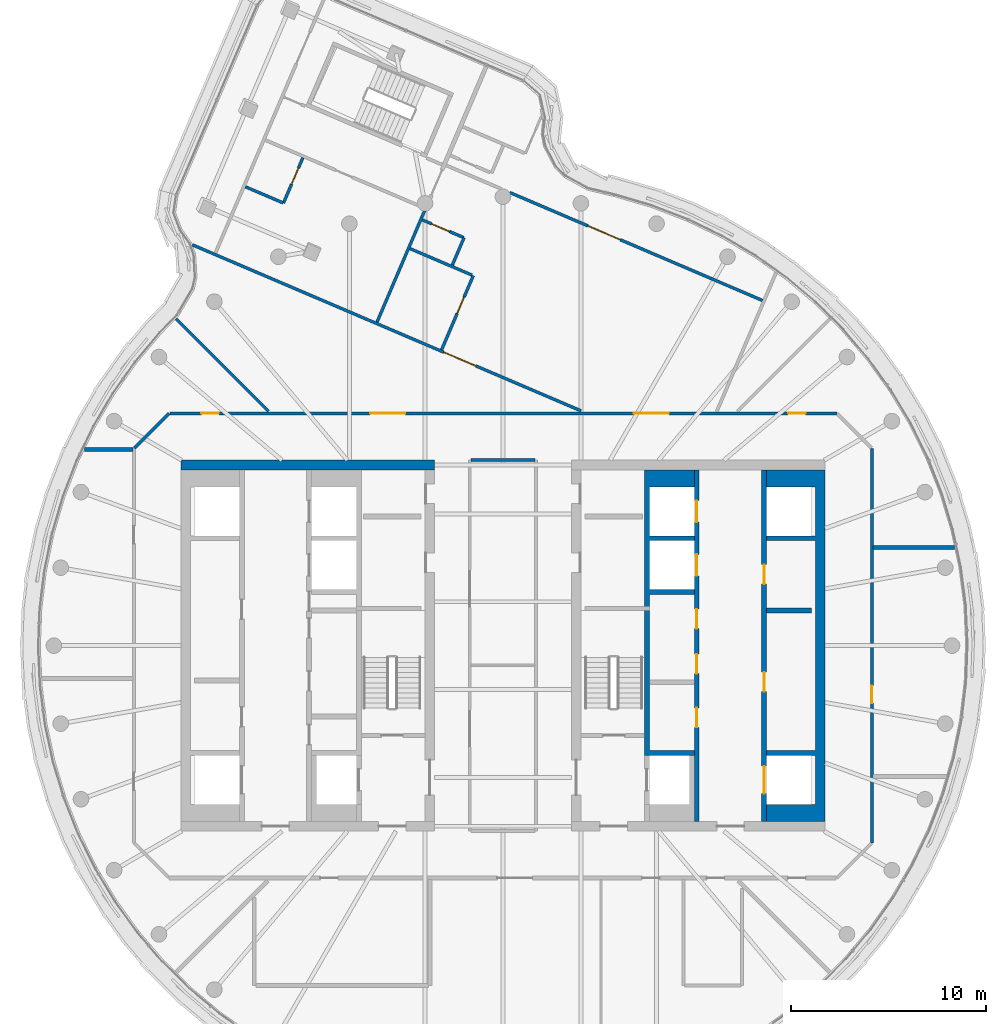
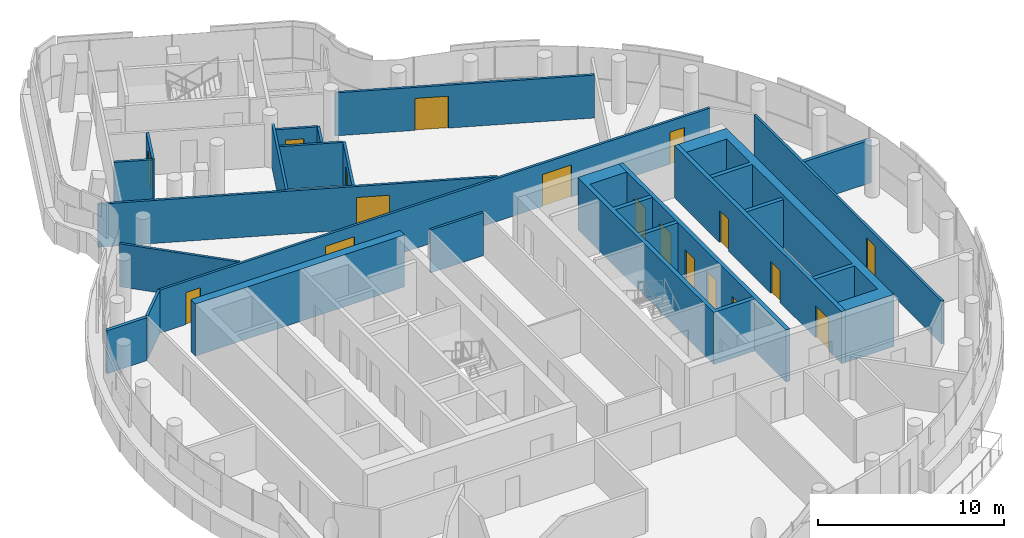
# One storey, part 14 of 20: 22 walls, 18 doors, 18 openings.
"""IFC4 building model written with IfcOpenShell, lengths in metres."""

from ifc_helpers import new_model, si_unit, direction, frame, frame_2d, origin, place, context, subcontext, project, spatial, polyline, rectangle, outline, extrude, material, layer, layer_set, type_object, element, fill, save


model = new_model("IFC4")

# Units and contexts
model_context = context("Model", 3, precision=1e-05, world=origin(), true_north=direction((0.0, 1.0)))
body_context = subcontext(model_context, "Body", "Model", "MODEL_VIEW")
ifc_project = project(units=[si_unit("LENGTHUNIT", "METRE"), si_unit("AREAUNIT", "SQUARE_METRE"), si_unit("VOLUMEUNIT", "CUBIC_METRE"), si_unit("PLANEANGLEUNIT", "RADIAN"), si_unit("MASSUNIT", "GRAM", prefix="KILO")], contexts=[model_context])

# Site, building, storey
site_placement = place(None, origin())
site = spatial("IfcSite", under=ifc_project, at=site_placement, CompositionType="ELEMENT")
building_placement = place(site_placement, origin())
building = spatial("IfcBuilding", under=site, at=building_placement, Name="Tamarind Cross Interchange Tower", CompositionType="ELEMENT")
storey_placement = place(building_placement, frame((0.0, 0.0, 274.800048828125)))
storey = spatial("IfcBuildingStorey", under=building, at=storey_placement, Name="L70", CompositionType="ELEMENT", Elevation=274.800048828125)

# Walls
ifc_material_1 = material(Name="Concrete C50", Category="concrete")
ifc_layer_1 = layer(ifc_material_1, 0.5)
ifc_layer_set_1 = layer_set([ifc_layer_1], Name="Concrete C50")
wall_type_1 = type_object("IfcWallType", Name="Core wall 500 mm Concrete C50", PredefinedType="SHEAR", material=ifc_layer_set_1)
wall_1_placement = place(storey_placement, frame((-16.5, 9.25, 0.0), z_axis=(0.0, 0.0, 1.0), x_axis=(1.0, 0.0, 0.0)))
element("IfcWall", 1, at=wall_1_placement, inside=storey, type_object=wall_type_1, Name="Core wall CWL-L70-W-NE", PredefinedType="SHEAR", context=body_context, shape_type="SweptSolid", body=[
    extrude(rectangle(XDim=13.0, YDim=0.5, at=frame_2d((6.5, 0.0))), origin(), (0.0, 0.0, 1.0), 3.419921875),
])
wall_2_placement = place(storey_placement, origin())
element("IfcWall", 2, at=wall_2_placement, inside=storey, type_object=wall_type_1, Name="Core wall CWL-L70-E-A", PredefinedType="SHEAR", context=body_context, shape_type="SweptSolid", body=[
    extrude(outline(polyline([(13.5, -8.125), (13.5, -9.0), (16.0, -9.0), (16.5, -9.0), (16.5, 9.0), (16.0, 9.0), (13.5, 9.0), (13.5, 8.125), (16.0, 8.125), (16.0, 5.625), (13.5, 5.625), (13.5, 5.375), (16.0, 5.375), (16.0, -5.375), (13.5, -5.375), (13.5, -5.625), (16.0, -5.625), (16.0, -8.125), (13.5, -8.125)])), origin(), (0.0, 0.0, 1.0), 3.419921875),
])
ifc_layer_2 = layer(ifc_material_1, 0.25)
ifc_layer_set_2 = layer_set([ifc_layer_2], Name="Concrete C50")
wall_type_2 = type_object("IfcWallType", Name="Core web wall 250 mm Concrete C50", PredefinedType="SHEAR", material=ifc_layer_set_2)
wall_3_placement = place(storey_placement, origin())
element("IfcWall", 3, at=wall_3_placement, inside=storey, type_object=wall_type_2, Name="Core wall CWL-L70-E-BN", PredefinedType="SHEAR", context=body_context, shape_type="SweptSolid", body=[
    extrude(outline(polyline([(9.800048828125, -5.375), (7.5, -5.375), (7.5, 2.625), (9.800048828125, 2.625), (9.800048828125, 2.875), (7.5, 2.875), (7.5, 5.375), (9.800048828125, 5.375), (9.800048828125, 5.625), (7.5, 5.625), (7.5, 8.125), (9.800048828125, 8.125), (9.800048828125, 9.0), (7.5, 9.0), (7.25, 9.0), (7.25, -5.625), (7.5, -5.625), (9.800048828125, -5.625), (9.800048828125, -5.375)])), origin(), (0.0, 0.0, 1.0), 3.419921875),
])

# Wall, openings, doors
wall_4_placement = place(storey_placement, frame((13.375, -9.0, 0.0), z_axis=(0.0, 0.0, 1.0), x_axis=(0.0, 1.0, 0.0)))
wall_4 = element("IfcWall", 4, at=wall_4_placement, inside=storey, type_object=wall_type_2, Name="Core wall CWL-L70-E-LA", PredefinedType="SHEAR", context=body_context, shape_type="SweptSolid", body=[
    extrude(rectangle(XDim=18.0, YDim=0.25, at=frame_2d((9.0, 0.0))), origin(), (0.0, 0.0, 1.0), 3.419921875),
])
opening_1_placement = place(wall_4_placement, frame((1.425048828125, 0.0, 0.0)))
opening_1 = element("IfcOpeningElement", 5, at=opening_1_placement, cuts=wall_4, Name="Opening LD13L70", PredefinedType="OPENING", context=body_context, shape_type="SweptSolid", body=[
    extrude(rectangle(XDim=1.39990234375, YDim=2.10009765625, at=frame_2d((0.699951171875, 1.050048828125))), frame((0.0, 0.135009765625, 0.0), z_axis=(0.0, -1.0, 0.0), x_axis=(1.0, 0.0, 0.0)), (0.0, 0.0, 1.0), 0.27001953125),
])
opening_2_placement = place(wall_4_placement, frame((6.64599609375, 0.0, 0.0)))
opening_2 = element("IfcOpeningElement", 6, at=opening_2_placement, cuts=wall_4, Name="Opening DCE9", PredefinedType="OPENING", context=body_context, shape_type="SweptSolid", body=[
    extrude(rectangle(XDim=1.0, YDim=2.10009765625, at=frame_2d((0.5, 1.050048828125))), frame((0.0, 0.135009765625, 0.0), z_axis=(0.0, -1.0, 0.0), x_axis=(1.0, 0.0, 0.0)), (0.0, 0.0, 1.0), 0.27001953125),
])
opening_3_placement = place(wall_4_placement, frame((12.14599609375, 0.0, 0.0)))
opening_3 = element("IfcOpeningElement", 7, at=opening_3_placement, cuts=wall_4, Name="Opening DCE10", PredefinedType="OPENING", context=body_context, shape_type="SweptSolid", body=[
    extrude(rectangle(XDim=1.0, YDim=2.10009765625, at=frame_2d((0.5, 1.050048828125))), frame((0.0, 0.135009765625, 0.0), z_axis=(0.0, -1.0, 0.0), x_axis=(1.0, 0.0, 0.0)), (0.0, 0.0, 1.0), 0.27001953125),
])
ifc_material_2 = material(Name="Steel, fire-resisting", Category="steel")
door_type_1 = type_object("IfcDoorType", Name="Core fire door 1000 x 2100 FD90", OperationType="SINGLE_SWING_LEFT", PredefinedType="DOOR", material=ifc_material_2)
door_1_placement = place(opening_2_placement, origin())
door_1 = element("IfcDoor", 8, at=door_1_placement, inside=storey, type_object=door_type_1, Name="L70 Ice and vending room door", OperationType="SINGLE_SWING_LEFT", OverallHeight=2.10009765625, OverallWidth=1.0, PredefinedType="DOOR", context=body_context, shape_type="SweptSolid", body=[
    extrude(rectangle(XDim=1.0, YDim=2.10009765625, at=frame_2d((0.5, 1.050048828125))), frame((0.0, 0.02490234375, 0.0), z_axis=(0.0, -1.0, 0.0), x_axis=(1.0, 0.0, 0.0)), (0.0, 0.0, 1.0), 0.050048828125),
])
fill(opening_2, door_1)
door_2_placement = place(opening_3_placement, origin())
door_2 = element("IfcDoor", 9, at=door_2_placement, inside=storey, type_object=door_type_1, Name="L70 Guest laundry door", OperationType="SINGLE_SWING_LEFT", OverallHeight=2.10009765625, OverallWidth=1.0, PredefinedType="DOOR", context=body_context, shape_type="SweptSolid", body=[
    extrude(rectangle(XDim=1.0, YDim=2.10009765625, at=frame_2d((0.5, 1.050048828125))), frame((0.0, 0.02490234375, 0.0), z_axis=(0.0, -1.0, 0.0), x_axis=(1.0, 0.0, 0.0)), (0.0, 0.0, 1.0), 0.050048828125),
])
fill(opening_3, door_2)
ifc_material_3 = material(Name="Stainless steel panel", Category="steel")
door_type_2 = type_object("IfcDoorType", Name="Lift landing door 1400 x 2100 E 120", OperationType="SLIDING_TO_LEFT", PredefinedType="DOOR", material=ifc_material_3)
door_3_placement = place(opening_1_placement, origin())
door_3 = element("IfcDoor", 10, at=door_3_placement, inside=storey, type_object=door_type_2, Name="L70 landing door LF13", OperationType="SLIDING_TO_LEFT", OverallHeight=2.10009765625, OverallWidth=1.39990234375, PredefinedType="DOOR", context=body_context, shape_type="SweptSolid", body=[
    extrude(rectangle(XDim=1.39990234375, YDim=2.10009765625, at=frame_2d((0.699951171875, 1.050048828125))), frame((0.0, 0.02490234375, 0.0), z_axis=(0.0, -1.0, 0.0), x_axis=(1.0, 0.0, 0.0)), (0.0, 0.0, 1.0), 0.050048828125),
])
fill(opening_1, door_3)

wall_5_placement = place(storey_placement, frame((9.925048828125, -9.0, 0.0), z_axis=(0.0, 0.0, 1.0), x_axis=(0.0, 1.0, 0.0)))
wall_5 = element("IfcWall", 11, at=wall_5_placement, inside=storey, type_object=wall_type_2, Name="Core wall CWL-L70-E-LB", PredefinedType="SHEAR", context=body_context, shape_type="SweptSolid", body=[
    extrude(rectangle(XDim=18.0, YDim=0.25, at=frame_2d((9.0, 0.0))), origin(), (0.0, 0.0, 1.0), 3.419921875),
])
opening_4_placement = place(wall_5_placement, frame((12.574951171875, 0.0, 0.0)))
opening_4 = element("IfcOpeningElement", 12, at=opening_4_placement, cuts=wall_5, Name="Opening LD23L70", PredefinedType="OPENING", context=body_context, shape_type="SweptSolid", body=[
    extrude(rectangle(XDim=1.10009765625, YDim=2.10009765625, at=frame_2d((0.550048828125, 1.050048828125))), frame((0.0, 0.135009765625, 0.0), z_axis=(0.0, -1.0, 0.0), x_axis=(1.0, 0.0, 0.0)), (0.0, 0.0, 1.0), 0.27001953125),
])
opening_5_placement = place(wall_5_placement, frame((15.324951171875, 0.0, 0.0)))
opening_5 = element("IfcOpeningElement", 13, at=opening_5_placement, cuts=wall_5, Name="Opening LD24L70", PredefinedType="OPENING", context=body_context, shape_type="SweptSolid", body=[
    extrude(rectangle(XDim=1.10009765625, YDim=2.10009765625, at=frame_2d((0.550048828125, 1.050048828125))), frame((0.0, 0.135009765625, 0.0), z_axis=(0.0, -1.0, 0.0), x_axis=(1.0, 0.0, 0.0)), (0.0, 0.0, 1.0), 0.27001953125),
])
opening_6_placement = place(wall_5_placement, frame((4.8125, 0.0, 0.0)))
opening_6 = element("IfcOpeningElement", 14, at=opening_6_placement, cuts=wall_5, Name="Opening DCE21", PredefinedType="OPENING", context=body_context, shape_type="SweptSolid", body=[
    extrude(rectangle(XDim=1.0, YDim=2.10009765625, at=frame_2d((0.5, 1.050048828125))), frame((0.0, 0.135009765625, 0.0), z_axis=(0.0, -1.0, 0.0), x_axis=(1.0, 0.0, 0.0)), (0.0, 0.0, 1.0), 0.27001953125),
])
opening_7_placement = place(wall_5_placement, frame((7.5625, 0.0, 0.0)))
opening_7 = element("IfcOpeningElement", 15, at=opening_7_placement, cuts=wall_5, Name="Opening DCE22", PredefinedType="OPENING", context=body_context, shape_type="SweptSolid", body=[
    extrude(rectangle(XDim=1.0, YDim=2.10009765625, at=frame_2d((0.5, 1.050048828125))), frame((0.0, 0.135009765625, 0.0), z_axis=(0.0, -1.0, 0.0), x_axis=(1.0, 0.0, 0.0)), (0.0, 0.0, 1.0), 0.27001953125),
])
opening_8_placement = place(wall_5_placement, frame((9.875, 0.0, 0.0)))
opening_8 = element("IfcOpeningElement", 16, at=opening_8_placement, cuts=wall_5, Name="Opening DCE21", PredefinedType="OPENING", context=body_context, shape_type="SweptSolid", body=[
    extrude(rectangle(XDim=1.0, YDim=2.10009765625, at=frame_2d((0.5, 1.050048828125))), frame((0.0, 0.135009765625, 0.0), z_axis=(0.0, -1.0, 0.0), x_axis=(1.0, 0.0, 0.0)), (0.0, 0.0, 1.0), 0.27001953125),
])
door_4_placement = place(opening_6_placement, origin())
door_4 = element("IfcDoor", 17, at=door_4_placement, inside=storey, type_object=door_type_1, Name="L70 Staff changing room door", OperationType="SINGLE_SWING_LEFT", OverallHeight=2.10009765625, OverallWidth=1.0, PredefinedType="DOOR", context=body_context, shape_type="SweptSolid", body=[
    extrude(rectangle(XDim=1.0, YDim=2.10009765625, at=frame_2d((0.5, 1.050048828125))), frame((0.0, 0.02490234375, 0.0), z_axis=(0.0, -1.0, 0.0), x_axis=(1.0, 0.0, 0.0)), (0.0, 0.0, 1.0), 0.050048828125),
])
fill(opening_6, door_4)
door_5_placement = place(opening_7_placement, origin())
door_5 = element("IfcDoor", 18, at=door_5_placement, inside=storey, type_object=door_type_1, Name="L70 Ice and vending room door", OperationType="SINGLE_SWING_LEFT", OverallHeight=2.10009765625, OverallWidth=1.0, PredefinedType="DOOR", context=body_context, shape_type="SweptSolid", body=[
    extrude(rectangle(XDim=1.0, YDim=2.10009765625, at=frame_2d((0.5, 1.050048828125))), frame((0.0, 0.02490234375, 0.0), z_axis=(0.0, -1.0, 0.0), x_axis=(1.0, 0.0, 0.0)), (0.0, 0.0, 1.0), 0.050048828125),
])
fill(opening_7, door_5)
door_6_placement = place(opening_8_placement, origin())
door_6 = element("IfcDoor", 19, at=door_6_placement, inside=storey, type_object=door_type_1, Name="L70 Staff changing room door", OperationType="SINGLE_SWING_LEFT", OverallHeight=2.10009765625, OverallWidth=1.0, PredefinedType="DOOR", context=body_context, shape_type="SweptSolid", body=[
    extrude(rectangle(XDim=1.0, YDim=2.10009765625, at=frame_2d((0.5, 1.050048828125))), frame((0.0, 0.02490234375, 0.0), z_axis=(0.0, -1.0, 0.0), x_axis=(1.0, 0.0, 0.0)), (0.0, 0.0, 1.0), 0.050048828125),
])
fill(opening_8, door_6)
door_type_3 = type_object("IfcDoorType", Name="Lift landing door 1100 x 2100 E 120", OperationType="SLIDING_TO_LEFT", PredefinedType="DOOR", material=ifc_material_3)
door_7_placement = place(opening_4_placement, origin())
door_7 = element("IfcDoor", 20, at=door_7_placement, inside=storey, type_object=door_type_3, Name="L70 landing door LF23", OperationType="SLIDING_TO_LEFT", OverallHeight=2.10009765625, OverallWidth=1.10009765625, PredefinedType="DOOR", context=body_context, shape_type="SweptSolid", body=[
    extrude(rectangle(XDim=1.10009765625, YDim=2.10009765625, at=frame_2d((0.550048828125, 1.050048828125))), frame((0.0, 0.02490234375, 0.0), z_axis=(0.0, -1.0, 0.0), x_axis=(1.0, 0.0, 0.0)), (0.0, 0.0, 1.0), 0.050048828125),
])
fill(opening_4, door_7)
door_8_placement = place(opening_5_placement, origin())
door_8 = element("IfcDoor", 21, at=door_8_placement, inside=storey, type_object=door_type_3, Name="L70 landing door LF24", OperationType="SLIDING_TO_LEFT", OverallHeight=2.10009765625, OverallWidth=1.10009765625, PredefinedType="DOOR", context=body_context, shape_type="SweptSolid", body=[
    extrude(rectangle(XDim=1.10009765625, YDim=2.10009765625, at=frame_2d((0.550048828125, 1.050048828125))), frame((0.0, 0.02490234375, 0.0), z_axis=(0.0, -1.0, 0.0), x_axis=(1.0, 0.0, 0.0)), (0.0, 0.0, 1.0), 0.050048828125),
])
fill(opening_5, door_8)

# Wall
ifc_material_4 = material(Name="Gypsum board partition on steel studs", Category="steel")
ifc_layer_3 = layer(ifc_material_4, 0.14990234375)
ifc_layer_set_3 = layer_set([ifc_layer_3], Name="Gypsum board partition on steel studs")
wall_type_3 = type_object("IfcWallType", Name="Partition 150 mm EI 120", PredefinedType="PARTITIONING", material=ifc_layer_set_3)
wall_6_placement = place(storey_placement, frame((-16.74267578125, 16.74267578125, 0.0), z_axis=(0.0, 0.0, 1.0), x_axis=(0.707106781187, -0.707106781187, 0.0)))
element("IfcWall", 22, at=wall_6_placement, inside=storey, type_object=wall_type_3, Name="Partition L70-002", PredefinedType="PARTITIONING", context=body_context, shape_type="SweptSolid", body=[
    extrude(rectangle(XDim=6.693603515625, YDim=0.14990234375, at=frame_2d((3.3466796875, 0.0))), origin(), (0.0, 0.0, 1.0), 2.823974609375),
])

# Wall, opening, door
wall_7_placement = place(storey_placement, frame((-15.9111328125, 20.53271484375, 0.0), z_axis=(0.0, 0.0, 1.0), x_axis=(0.919595802133, -0.392865830405, 0.0)))
wall_7 = element("IfcWall", 23, at=wall_7_placement, inside=storey, type_object=wall_type_3, Name="Partition L70-005", PredefinedType="PARTITIONING", context=body_context, shape_type="SweptSolid", body=[
    extrude(rectangle(XDim=21.65380859375, YDim=0.14990234375, at=frame_2d((10.826904296875, 0.0))), origin(), (0.0, 0.0, 1.0), 2.823974609375),
])
opening_9_placement = place(wall_7_placement, frame((14.0048828125, 0.0, 0.0)))
opening_9 = element("IfcOpeningElement", 24, at=opening_9_placement, cuts=wall_7, Name="Opening D01", PredefinedType="OPENING", context=body_context, shape_type="SweptSolid", body=[
    extrude(rectangle(XDim=1.800048828125, YDim=2.10009765625, at=frame_2d((0.89990234375, 1.050048828125))), frame((0.0, 0.0849609375, 0.0), z_axis=(0.0, -1.0, 0.0), x_axis=(1.0, 0.0, 0.0)), (0.0, 0.0, 1.0), 0.169921875),
])
ifc_material_5 = material(Name="Fire-resisting door set")
door_type_4 = type_object("IfcDoorType", Name="Interior door 1800 x 2100 FD60S", OperationType="DOUBLE_DOOR_SINGLE_SWING", PredefinedType="DOOR", material=ifc_material_5)
door_9_placement = place(opening_9_placement, origin())
door_9 = element("IfcDoor", 25, at=door_9_placement, inside=storey, type_object=door_type_4, Name="Door D01", OperationType="DOUBLE_DOOR_SINGLE_SWING", OverallHeight=2.10009765625, OverallWidth=1.800048828125, PredefinedType="DOOR", context=body_context, shape_type="SweptSolid", body=[
    extrude(rectangle(XDim=1.800048828125, YDim=2.10009765625, at=frame_2d((0.89990234375, 1.050048828125))), frame((0.0, 0.02490234375, 0.0), z_axis=(0.0, -1.0, 0.0), x_axis=(1.0, 0.0, 0.0)), (0.0, 0.0, 1.0), 0.050048828125),
])
fill(opening_9, door_9)

# Walls
wall_8_placement = place(storey_placement, frame((-13.195068359375, 23.50439453125, 0.0), z_axis=(0.0, 0.0, 1.0), x_axis=(0.919678202956, -0.392672895687, 0.0)))
element("IfcWall", 26, at=wall_8_placement, inside=storey, type_object=wall_type_3, Name="Partition L70-006", PredefinedType="PARTITIONING", context=body_context, shape_type="SweptSolid", body=[
    extrude(rectangle(XDim=2.1044921875, YDim=0.14990234375, at=frame_2d((1.05224609375, 0.0))), origin(), (0.0, 0.0, 1.0), 2.823974609375),
])
wall_9_placement = place(storey_placement, frame((-4.760986328125, 20.33642578125, 0.0), z_axis=(0.0, 0.0, 1.0), x_axis=(0.91960570613, -0.392842646938, 0.0)))
element("IfcWall", 27, at=wall_9_placement, inside=storey, type_object=wall_type_3, Name="Partition L70-010", PredefinedType="PARTITIONING", context=body_context, shape_type="SweptSolid", body=[
    extrude(rectangle(XDim=3.44921875, YDim=0.14990234375, at=frame_2d((1.724609375, 0.0))), origin(), (0.0, 0.0, 1.0), 2.823974609375),
])

# Wall, opening, door
wall_10_placement = place(storey_placement, frame((-4.12841796875, 21.806640625, 0.0), z_axis=(0.0, 0.0, 1.0), x_axis=(0.919556307153, -0.392958264929, 0.0)))
wall_10 = element("IfcWall", 28, at=wall_10_placement, inside=storey, type_object=wall_type_3, Name="Partition L70-011", PredefinedType="PARTITIONING", context=body_context, shape_type="SweptSolid", body=[
    extrude(rectangle(XDim=2.300048828125, YDim=0.14990234375, at=frame_2d((1.14990234375, 0.0))), origin(), (0.0, 0.0, 1.0), 2.823974609375),
])
opening_10_placement = place(wall_10_placement, frame((0.52001953125, 0.0, 0.0)))
opening_10 = element("IfcOpeningElement", 29, at=opening_10_placement, cuts=wall_10, Name="Opening D04", PredefinedType="OPENING", context=body_context, shape_type="SweptSolid", body=[
    extrude(rectangle(XDim=1.0, YDim=2.10009765625, at=frame_2d((0.5, 1.050048828125))), frame((0.0, 0.0849609375, 0.0), z_axis=(0.0, -1.0, 0.0), x_axis=(1.0, 0.0, 0.0)), (0.0, 0.0, 1.0), 0.169921875),
])
door_type_5 = type_object("IfcDoorType", Name="Interior door 1000 x 2100 FD60S", OperationType="SINGLE_SWING_LEFT", PredefinedType="DOOR", material=ifc_material_5)
door_10_placement = place(opening_10_placement, frame((1.0, 0.0, 0.0), z_axis=(0.0, 0.0, 1.0), x_axis=(-1.0, 0.0, 0.0)))
door_10 = element("IfcDoor", 30, at=door_10_placement, inside=storey, type_object=door_type_5, Name="Door D04", OperationType="SINGLE_SWING_LEFT", OverallHeight=2.10009765625, OverallWidth=1.0, PredefinedType="DOOR", context=body_context, shape_type="SweptSolid", body=[
    extrude(rectangle(XDim=1.0, YDim=2.10009765625, at=frame_2d((0.5, 1.050048828125))), frame((0.0, 0.02490234375, 0.0), z_axis=(0.0, -1.0, 0.0), x_axis=(1.0, 0.0, 0.0)), (0.0, 0.0, 1.0), 0.050048828125),
])
fill(opening_10, door_10)

wall_11_placement = place(storey_placement, frame((0.35107421875, 23.208984375, 0.0), z_axis=(0.0, 0.0, 1.0), x_axis=(0.919588500122, -0.392882922056, 0.0)))
wall_11 = element("IfcWall", 31, at=wall_11_placement, inside=storey, type_object=wall_type_3, Name="Partition L70-013", PredefinedType="PARTITIONING", context=body_context, shape_type="SweptSolid", body=[
    extrude(rectangle(XDim=14.07666015625, YDim=0.14990234375, at=frame_2d((7.038330078125, 0.0))), origin(), (0.0, 0.0, 1.0), 2.823974609375),
])
opening_11_placement = place(wall_11_placement, frame((4.35009765625, 0.0, 0.0)))
opening_11 = element("IfcOpeningElement", 32, at=opening_11_placement, cuts=wall_11, Name="Opening D05", PredefinedType="OPENING", context=body_context, shape_type="SweptSolid", body=[
    extrude(rectangle(XDim=1.800048828125, YDim=2.10009765625, at=frame_2d((0.89990234375, 1.050048828125))), frame((0.0, 0.0849609375, 0.0), z_axis=(0.0, -1.0, 0.0), x_axis=(1.0, 0.0, 0.0)), (0.0, 0.0, 1.0), 0.169921875),
])
door_11_placement = place(opening_11_placement, origin())
door_11 = element("IfcDoor", 33, at=door_11_placement, inside=storey, type_object=door_type_4, Name="Door D05", OperationType="DOUBLE_DOOR_SINGLE_SWING", OverallHeight=2.10009765625, OverallWidth=1.800048828125, PredefinedType="DOOR", context=body_context, shape_type="SweptSolid", body=[
    extrude(rectangle(XDim=1.800048828125, YDim=2.10009765625, at=frame_2d((0.89990234375, 1.050048828125))), frame((0.0, 0.02490234375, 0.0), z_axis=(0.0, -1.0, 0.0), x_axis=(1.0, 0.0, 0.0)), (0.0, 0.0, 1.0), 0.050048828125),
])
fill(opening_11, door_11)

# Wall, openings, doors
wall_12_placement = place(storey_placement, frame((-17.06494140625, 11.89990234375, 0.0), z_axis=(0.0, 0.0, 1.0), x_axis=(1.0, 0.0, 0.0)))
wall_12 = element("IfcWall", 34, at=wall_12_placement, inside=storey, type_object=wall_type_3, Name="Partition L70-019", PredefinedType="PARTITIONING", context=body_context, shape_type="SweptSolid", body=[
    extrude(rectangle(XDim=34.1650390625, YDim=0.14990234375, at=frame_2d((17.08251953125, 0.0))), origin(), (0.0, 0.0, 1.0), 2.823974609375),
])
opening_12_placement = place(wall_12_placement, frame((23.760986328125, 0.0, 0.0)))
opening_12 = element("IfcOpeningElement", 35, at=opening_12_placement, cuts=wall_12, Name="Opening D12", PredefinedType="OPENING", context=body_context, shape_type="SweptSolid", body=[
    extrude(rectangle(XDim=1.800048828125, YDim=2.10009765625, at=frame_2d((0.89990234375, 1.050048828125))), frame((0.0, 0.0849609375, 0.0), z_axis=(0.0, -1.0, 0.0), x_axis=(1.0, 0.0, 0.0)), (0.0, 0.0, 1.0), 0.169921875),
])
opening_13_placement = place(wall_12_placement, frame((1.614990234375, 0.0, 0.0)))
opening_13 = element("IfcOpeningElement", 36, at=opening_13_placement, cuts=wall_12, Name="Opening D13", PredefinedType="OPENING", context=body_context, shape_type="SweptSolid", body=[
    extrude(rectangle(XDim=0.89990234375, YDim=2.10009765625, at=frame_2d((0.449951171875, 1.050048828125))), frame((0.0, 0.0849609375, 0.0), z_axis=(0.0, -1.0, 0.0), x_axis=(1.0, 0.0, 0.0)), (0.0, 0.0, 1.0), 0.169921875),
])
opening_14_placement = place(wall_12_placement, frame((31.6650390625, 0.0, 0.0)))
opening_14 = element("IfcOpeningElement", 37, at=opening_14_placement, cuts=wall_12, Name="Opening D14", PredefinedType="OPENING", context=body_context, shape_type="SweptSolid", body=[
    extrude(rectangle(XDim=0.89990234375, YDim=2.10009765625, at=frame_2d((0.449951171875, 1.050048828125))), frame((0.0, 0.0849609375, 0.0), z_axis=(0.0, -1.0, 0.0), x_axis=(1.0, 0.0, 0.0)), (0.0, 0.0, 1.0), 0.169921875),
])
opening_15_placement = place(wall_12_placement, frame((10.264892578125, 0.0, 0.0)))
opening_15 = element("IfcOpeningElement", 38, at=opening_15_placement, cuts=wall_12, Name="Opening D15", PredefinedType="OPENING", context=body_context, shape_type="SweptSolid", body=[
    extrude(rectangle(XDim=1.800048828125, YDim=2.10009765625, at=frame_2d((0.89990234375, 1.050048828125))), frame((0.0, 0.0849609375, 0.0), z_axis=(0.0, -1.0, 0.0), x_axis=(1.0, 0.0, 0.0)), (0.0, 0.0, 1.0), 0.169921875),
])
door_12_placement = place(opening_12_placement, frame((1.800048828125, 0.0, 0.0), z_axis=(0.0, 0.0, 1.0), x_axis=(-1.0, 0.0, 0.0)))
door_12 = element("IfcDoor", 39, at=door_12_placement, inside=storey, type_object=door_type_4, Name="Door D12", OperationType="DOUBLE_DOOR_SINGLE_SWING", OverallHeight=2.10009765625, OverallWidth=1.800048828125, PredefinedType="DOOR", context=body_context, shape_type="SweptSolid", body=[
    extrude(rectangle(XDim=1.800048828125, YDim=2.10009765625, at=frame_2d((0.89990234375, 1.050048828125))), frame((0.0, 0.02490234375, 0.0), z_axis=(0.0, -1.0, 0.0), x_axis=(1.0, 0.0, 0.0)), (0.0, 0.0, 1.0), 0.050048828125),
])
fill(opening_12, door_12)
door_13_placement = place(opening_15_placement, frame((1.800048828125, 0.0, 0.0), z_axis=(0.0, 0.0, 1.0), x_axis=(-1.0, 0.0, 0.0)))
door_13 = element("IfcDoor", 40, at=door_13_placement, inside=storey, type_object=door_type_4, Name="Door D15", OperationType="DOUBLE_DOOR_SINGLE_SWING", OverallHeight=2.10009765625, OverallWidth=1.800048828125, PredefinedType="DOOR", context=body_context, shape_type="SweptSolid", body=[
    extrude(rectangle(XDim=1.800048828125, YDim=2.10009765625, at=frame_2d((0.89990234375, 1.050048828125))), frame((0.0, 0.02490234375, 0.0), z_axis=(0.0, -1.0, 0.0), x_axis=(1.0, 0.0, 0.0)), (0.0, 0.0, 1.0), 0.050048828125),
])
fill(opening_15, door_13)
door_type_6 = type_object("IfcDoorType", Name="Interior door 900 x 2100 FD60S", OperationType="SINGLE_SWING_LEFT", PredefinedType="DOOR", material=ifc_material_5)
door_14_placement = place(opening_13_placement, origin())
door_14 = element("IfcDoor", 41, at=door_14_placement, inside=storey, type_object=door_type_6, Name="Door D13", OperationType="SINGLE_SWING_RIGHT", OverallHeight=2.10009765625, OverallWidth=0.89990234375, PredefinedType="DOOR", context=body_context, shape_type="SweptSolid", body=[
    extrude(rectangle(XDim=0.89990234375, YDim=2.10009765625, at=frame_2d((0.449951171875, 1.050048828125))), frame((0.0, 0.02490234375, 0.0), z_axis=(0.0, -1.0, 0.0), x_axis=(1.0, 0.0, 0.0)), (0.0, 0.0, 1.0), 0.050048828125),
])
fill(opening_13, door_14)
door_15_placement = place(opening_14_placement, origin())
door_15 = element("IfcDoor", 42, at=door_15_placement, inside=storey, type_object=door_type_6, Name="Door D14", OperationType="SINGLE_SWING_LEFT", OverallHeight=2.10009765625, OverallWidth=0.89990234375, PredefinedType="DOOR", context=body_context, shape_type="SweptSolid", body=[
    extrude(rectangle(XDim=0.89990234375, YDim=2.10009765625, at=frame_2d((0.449951171875, 1.050048828125))), frame((0.0, 0.02490234375, 0.0), z_axis=(0.0, -1.0, 0.0), x_axis=(1.0, 0.0, 0.0)), (0.0, 0.0, 1.0), 0.050048828125),
])
fill(opening_14, door_15)

# Walls
wall_13_placement = place(storey_placement, frame((-1.639892578125, 9.5, 0.0), z_axis=(0.0, 0.0, 1.0), x_axis=(1.0, 0.0, 0.0)))
element("IfcWall", 43, at=wall_13_placement, inside=storey, type_object=wall_type_3, Name="Partition L70-024", PredefinedType="PARTITIONING", context=body_context, shape_type="SweptSolid", body=[
    extrude(rectangle(XDim=3.27978515625, YDim=0.14990234375, at=frame_2d((1.639892578125, 0.0))), origin(), (0.0, 0.0, 1.0), 2.823974609375),
])
wall_14_placement = place(storey_placement, frame((-18.885986328125, 10.114013671875, 0.0), z_axis=(0.0, 0.0, 1.0), x_axis=(0.707106781187, 0.707106781187, 0.0)))
element("IfcWall", 44, at=wall_14_placement, inside=storey, type_object=wall_type_3, Name="Partition L70-027", PredefinedType="PARTITIONING", context=body_context, shape_type="SweptSolid", body=[
    extrude(rectangle(XDim=2.525634765625, YDim=0.14990234375, at=frame_2d((1.2626953125, 0.0))), origin(), (0.0, 0.0, 1.0), 2.823974609375),
])

# Wall, opening, door
wall_15_placement = place(storey_placement, frame((-11.240966796875, 22.669921875, 0.0), z_axis=(0.0, 0.0, 1.0), x_axis=(0.3930089689, 0.919534637936, 0.0)))
wall_15 = element("IfcWall", 45, at=wall_15_placement, inside=storey, type_object=wall_type_3, Name="Partition L70-032", PredefinedType="PARTITIONING", context=body_context, shape_type="SweptSolid", body=[
    extrude(rectangle(XDim=2.525146484375, YDim=0.14990234375, at=frame_2d((1.2626953125, 0.0))), origin(), (0.0, 0.0, 1.0), 2.823974609375),
])
opening_16_placement = place(wall_15_placement, frame((1.050048828125, 0.0, 0.0)))
opening_16 = element("IfcOpeningElement", 46, at=opening_16_placement, cuts=wall_15, Name="Opening D17", PredefinedType="OPENING", context=body_context, shape_type="SweptSolid", body=[
    extrude(rectangle(XDim=0.89990234375, YDim=2.10009765625, at=frame_2d((0.449951171875, 1.050048828125))), frame((0.0, 0.0849609375, 0.0), z_axis=(0.0, -1.0, 0.0), x_axis=(1.0, 0.0, 0.0)), (0.0, 0.0, 1.0), 0.169921875),
])
door_16_placement = place(opening_16_placement, origin())
door_16 = element("IfcDoor", 47, at=door_16_placement, inside=storey, type_object=door_type_6, Name="Door D17", OperationType="SINGLE_SWING_LEFT", OverallHeight=2.10009765625, OverallWidth=0.89990234375, PredefinedType="DOOR", context=body_context, shape_type="SweptSolid", body=[
    extrude(rectangle(XDim=0.89990234375, YDim=2.10009765625, at=frame_2d((0.449951171875, 1.050048828125))), frame((0.0, 0.02490234375, 0.0), z_axis=(0.0, -1.0, 0.0), x_axis=(1.0, 0.0, 0.0)), (0.0, 0.0, 1.0), 0.050048828125),
])
fill(opening_16, door_16)

# Wall
wall_16_placement = place(storey_placement, frame((-6.450439453125, 16.572998046875, 0.0), z_axis=(0.0, 0.0, 1.0), x_axis=(0.392889649243, 0.919585625985, 0.0)))
element("IfcWall", 48, at=wall_16_placement, inside=storey, type_object=wall_type_3, Name="Partition L70-033", PredefinedType="PARTITIONING", context=body_context, shape_type="SweptSolid", body=[
    extrude(rectangle(XDim=6.325927734375, YDim=0.14990234375, at=frame_2d((3.1630859375, 0.0))), origin(), (0.0, 0.0, 1.0), 2.823974609375),
])

# Wall, opening, door
wall_17_placement = place(storey_placement, frame((-3.140380859375, 15.158935546875, 0.0), z_axis=(0.0, 0.0, 1.0), x_axis=(0.392854606295, 0.919600597168, 0.0)))
wall_17 = element("IfcWall", 49, at=wall_17_placement, inside=storey, type_object=wall_type_3, Name="Partition L70-035", PredefinedType="PARTITIONING", context=body_context, shape_type="SweptSolid", body=[
    extrude(rectangle(XDim=4.12451171875, YDim=0.14990234375, at=frame_2d((2.062255859375, 0.0))), origin(), (0.0, 0.0, 1.0), 2.823974609375),
])
opening_17_placement = place(wall_17_placement, frame((2.02490234375, 0.0, 0.0)))
opening_17 = element("IfcOpeningElement", 50, at=opening_17_placement, cuts=wall_17, Name="Opening D19", PredefinedType="OPENING", context=body_context, shape_type="SweptSolid", body=[
    extrude(rectangle(XDim=0.89990234375, YDim=2.10009765625, at=frame_2d((0.449951171875, 1.050048828125))), frame((0.0, 0.0849609375, 0.0), z_axis=(0.0, -1.0, 0.0), x_axis=(1.0, 0.0, 0.0)), (0.0, 0.0, 1.0), 0.169921875),
])
door_17_placement = place(opening_17_placement, origin())
door_17 = element("IfcDoor", 51, at=door_17_placement, inside=storey, type_object=door_type_6, Name="Door D19", OperationType="SINGLE_SWING_LEFT", OverallHeight=2.10009765625, OverallWidth=0.89990234375, PredefinedType="DOOR", context=body_context, shape_type="SweptSolid", body=[
    extrude(rectangle(XDim=0.89990234375, YDim=2.10009765625, at=frame_2d((0.449951171875, 1.050048828125))), frame((0.0, 0.02490234375, 0.0), z_axis=(0.0, -1.0, 0.0), x_axis=(1.0, 0.0, 0.0)), (0.0, 0.0, 1.0), 0.050048828125),
])
fill(opening_17, door_17)

# Wall
wall_18_placement = place(storey_placement, frame((-2.591552734375, 19.49658203125, 0.0), z_axis=(0.0, 0.0, 1.0), x_axis=(0.39231007283, 0.919833031999, 0.0)))
element("IfcWall", 52, at=wall_18_placement, inside=storey, type_object=wall_type_3, Name="Partition L70-037", PredefinedType="PARTITIONING", context=body_context, shape_type="SweptSolid", body=[
    extrude(rectangle(XDim=1.520263671875, YDim=0.14990234375, at=frame_2d((0.76025390625, 0.0))), origin(), (0.0, 0.0, 1.0), 2.823974609375),
])

# Wall, opening, door
wall_19_placement = place(storey_placement, frame((18.89990234375, -10.10009765625, 0.0), z_axis=(0.0, 0.0, 1.0), x_axis=(0.0, 1.0, 0.0)))
wall_19 = element("IfcWall", 53, at=wall_19_placement, inside=storey, type_object=wall_type_3, Name="Partition L70-048", PredefinedType="PARTITIONING", context=body_context, shape_type="SweptSolid", body=[
    extrude(rectangle(XDim=20.2001953125, YDim=0.14990234375, at=frame_2d((10.10009765625, 0.0))), origin(), (0.0, 0.0, 1.0), 2.823974609375),
])
opening_18_placement = place(wall_19_placement, frame((7.154052734375, 0.0, 0.0)))
opening_18 = element("IfcOpeningElement", 54, at=opening_18_placement, cuts=wall_19, Name="Opening D25", PredefinedType="OPENING", context=body_context, shape_type="SweptSolid", body=[
    extrude(rectangle(XDim=0.89990234375, YDim=2.10009765625, at=frame_2d((0.449951171875, 1.050048828125))), frame((0.0, 0.0849609375, 0.0), z_axis=(0.0, -1.0, 0.0), x_axis=(1.0, 0.0, 0.0)), (0.0, 0.0, 1.0), 0.169921875),
])
door_18_placement = place(opening_18_placement, frame((0.89990234375, 0.0, 0.0), z_axis=(0.0, 0.0, 1.0), x_axis=(-1.0, 0.0, 0.0)))
door_18 = element("IfcDoor", 55, at=door_18_placement, inside=storey, type_object=door_type_6, Name="Door D25", OperationType="SINGLE_SWING_LEFT", OverallHeight=2.10009765625, OverallWidth=0.89990234375, PredefinedType="DOOR", context=body_context, shape_type="SweptSolid", body=[
    extrude(rectangle(XDim=0.89990234375, YDim=2.10009765625, at=frame_2d((0.449951171875, 1.050048828125))), frame((0.0, 0.02490234375, 0.0), z_axis=(0.0, -1.0, 0.0), x_axis=(1.0, 0.0, 0.0)), (0.0, 0.0, 1.0), 0.050048828125),
])
fill(opening_18, door_18)

# Walls
ifc_layer_4 = layer(ifc_material_4, 0.199951171875)
ifc_layer_set_4 = layer_set([ifc_layer_4], Name="Gypsum board partition on steel studs")
wall_type_4 = type_object("IfcWallType", Name="Partition 200 mm EI 180", PredefinedType="PARTITIONING", material=ifc_layer_set_4)
wall_20_placement = place(storey_placement, frame((-21.439453125, 10.0458984375, 0.0), z_axis=(0.0, 0.0, 1.0), x_axis=(1.0, 0.0, 0.0)))
element("IfcWall", 56, at=wall_20_placement, inside=storey, type_object=wall_type_4, Name="Partition L70-017", PredefinedType="PARTITIONING", context=body_context, shape_type="SweptSolid", body=[
    extrude(rectangle(XDim=2.484375, YDim=0.199951171875, at=frame_2d((1.2421875, 0.0))), origin(), (0.0, 0.0, 1.0), 2.823974609375),
])
wall_21_placement = place(storey_placement, frame((18.955078125, 5.02197265625, 0.0), z_axis=(0.0, 0.0, 1.0), x_axis=(1.0, 0.0, 0.0)))
element("IfcWall", 57, at=wall_21_placement, inside=storey, type_object=wall_type_4, Name="Partition L70-026", PredefinedType="PARTITIONING", context=body_context, shape_type="SweptSolid", body=[
    extrude(rectangle(XDim=4.1806640625, YDim=0.199951171875, at=frame_2d((2.09033203125, 0.0))), origin(), (0.0, 0.0, 1.0), 2.823974609375),
])
ifc_material_6 = material(Name="Concrete C40", Category="concrete")
ifc_layer_5 = layer(ifc_material_6, 0.25)
ifc_layer_set_5 = layer_set([ifc_layer_5], Name="Concrete C40")
wall_type_5 = type_object("IfcWallType", Name="Shaft and lobby wall 250 mm Concrete C40", PredefinedType="PARTITIONING", material=ifc_layer_set_5)
wall_22_placement = place(storey_placement, frame((15.800048828125, 1.7919921875, 0.0), z_axis=(0.0, 0.0, 1.0), x_axis=(-1.0, 0.0, 0.0)))
element("IfcWall", 58, at=wall_22_placement, inside=storey, type_object=wall_type_5, Name="Shaft wall CWL-L70-E-FPA1", PredefinedType="PARTITIONING", context=body_context, shape_type="SweptSolid", body=[
    extrude(rectangle(XDim=2.300048828125, YDim=0.25, at=frame_2d((1.14990234375, 0.0))), origin(), (0.0, 0.0, 1.0), 3.419921875),
])

save(model, "model.ifc")
